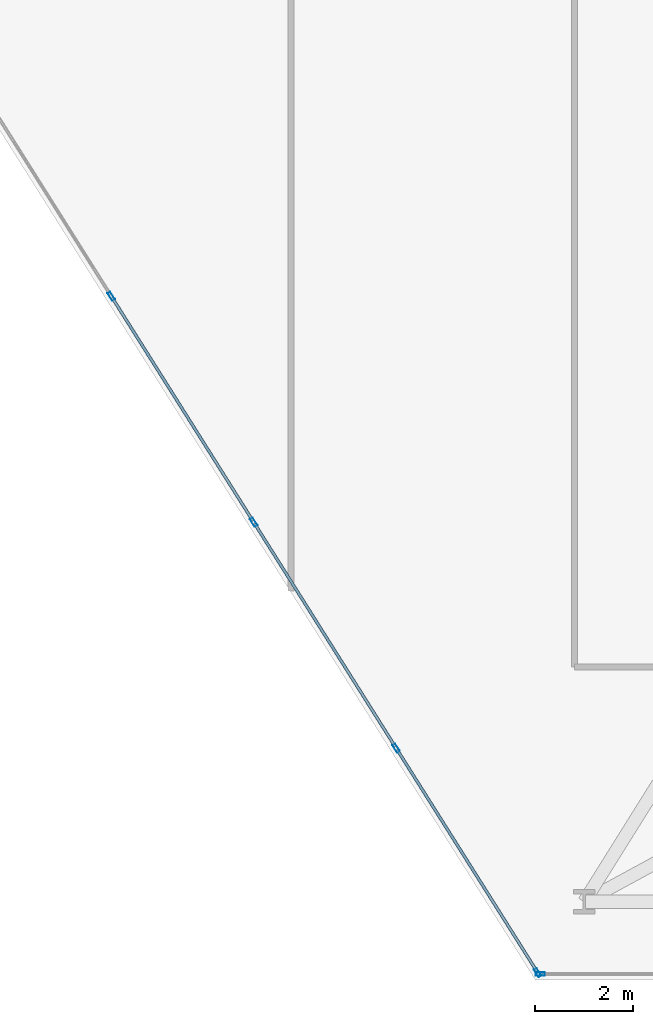
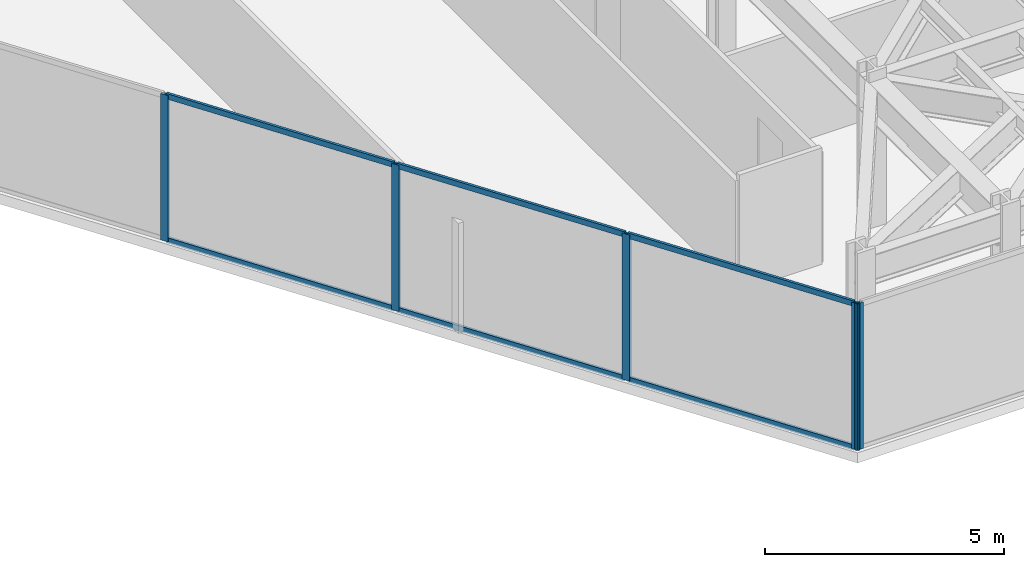
# One storey, part 12 of 24: 11 members, 2 elements without a shape of their own.
"""IFC4 building model written with IfcOpenShell, lengths in metres."""

from ifc_helpers import new_model, si_unit, direction, frame, origin, origin_2d, place, context, subcontext, project, spatial, hollow_rectangle, extrude, material, layer, layer_set, material_profile, profile_set, type_object, element, aggregate, save


model = new_model("IFC4")

# Units and contexts
model_context = context("Model", 3, precision=1e-05, world=origin(), true_north=direction((0.0, 1.0)))
body_context = subcontext(model_context, "Body", "Model", "MODEL_VIEW")
ifc_project = project(units=[si_unit("LENGTHUNIT", "METRE"), si_unit("AREAUNIT", "SQUARE_METRE"), si_unit("VOLUMEUNIT", "CUBIC_METRE"), si_unit("PLANEANGLEUNIT", "RADIAN"), si_unit("MASSUNIT", "GRAM", prefix="KILO")], contexts=[model_context])

# Site, building, storey
site_placement = place(None, origin())
site = spatial("IfcSite", under=ifc_project, at=site_placement, CompositionType="ELEMENT")
building_placement = place(site_placement, origin())
building = spatial("IfcBuilding", under=site, at=building_placement, Name="Kravanh Interchange Tower", CompositionType="ELEMENT")
storey_placement = place(building_placement, frame((0.0, 0.0, 69.5)))
storey = spatial("IfcBuildingStorey", under=building, at=storey_placement, Name="L16", CompositionType="ELEMENT", Elevation=69.5)

# Curtain wall, member
ifc_material_1 = material(Name="Anodised Bronze Aluminium", Category="aluminium")
ifc_layer = layer(ifc_material_1, 0.179931640625)
ifc_layer_set = layer_set([ifc_layer], Name="Unitised Curtain Wall System CW-Z1 Lower Office")
curtain_wall_type = type_object("IfcCurtainWallType", Name="Unitised Curtain Wall System CW-Z1 Lower Office", PredefinedType="NOTDEFINED", material=ifc_layer_set)
curtain_wall_1_placement = place(storey_placement, origin())
curtain_wall_1 = element("IfcCurtainWall", 1, at=curtain_wall_1_placement, inside=storey, type_object=curtain_wall_type, Name="L16 Unitised Curtain Wall CW-L16-03", PredefinedType="NOTDEFINED")
ifc_material_2 = material(Name="Anodised Bronze Aluminium", Category="aluminium")
ifc_material_profile_1 = material_profile(ifc_material_2, hollow_rectangle(XDim=0.070068359375, YDim=0.179931640625, WallThickness=0.00390625, at=origin_2d()), Name="ALU70X180X4")
ifc_profile_set_1 = profile_set([ifc_material_profile_1], Name="Anodised Bronze Aluminium")
member_type_1 = type_object("IfcMemberType", Name="Curtain Wall Mullion ALU70X180X4 Bronze", PredefinedType="MULLION", material=ifc_profile_set_1)
member_1_placement = place(storey_placement, frame((51.601318359375, 1.1201171875, 0.0), z_axis=(0.0, 0.0, 1.0), x_axis=(0.0, -1.0, 0.0)))
member_1 = element("IfcMember", 2, at=member_1_placement, type_object=member_type_1, Name="CW-Z1 mullion 3", PredefinedType="MULLION", context=body_context, shape_type="SweptSolid", body=[
    extrude(hollow_rectangle(XDim=0.070068359375, YDim=0.179931640625, WallThickness=0.00390625, at=origin_2d()), origin(), (0.0, 0.0, 1.0), 3.739990234375),
])
aggregate(curtain_wall_1, [member_1])

# Curtain wall, members
curtain_wall_2_placement = place(storey_placement, origin())
curtain_wall_2 = element("IfcCurtainWall", 3, at=curtain_wall_2_placement, inside=storey, type_object=curtain_wall_type, Name="L16 Unitised Curtain Wall CW-L16-04", PredefinedType="NOTDEFINED")
member_2_placement = place(storey_placement, frame((51.547607421875, 1.149658203125, 0.0), z_axis=(0.0, 0.0, 1.0), x_axis=(-0.845925530786, -0.53330103728, 0.0)))
member_2 = element("IfcMember", 4, at=member_2_placement, type_object=member_type_1, Name="CW-Z1 mullion 1", PredefinedType="MULLION", context=body_context, shape_type="SweptSolid", body=[
    extrude(hollow_rectangle(XDim=0.070068359375, YDim=0.179931640625, WallThickness=0.00390625, at=origin_2d()), origin(), (0.0, 0.0, 1.0), 3.739990234375),
])
member_3_placement = place(storey_placement, frame((48.653076171875, 5.740966796875, 0.0), z_axis=(0.0, 0.0, 1.0), x_axis=(-0.845925530786, -0.53330103728, 0.0)))
member_3 = element("IfcMember", 5, at=member_3_placement, type_object=member_type_1, Name="CW-Z1 mullion 2", PredefinedType="MULLION", context=body_context, shape_type="SweptSolid", body=[
    extrude(hollow_rectangle(XDim=0.070068359375, YDim=0.179931640625, WallThickness=0.00390625, at=origin_2d()), origin(), (0.0, 0.0, 1.0), 3.739990234375),
])
member_4_placement = place(storey_placement, frame((45.73974609375, 10.362060546875, 0.0), z_axis=(0.0, 0.0, 1.0), x_axis=(-0.845925530786, -0.53330103728, 0.0)))
member_4 = element("IfcMember", 6, at=member_4_placement, type_object=member_type_1, Name="CW-Z1 mullion 3", PredefinedType="MULLION", context=body_context, shape_type="SweptSolid", body=[
    extrude(hollow_rectangle(XDim=0.070068359375, YDim=0.179931640625, WallThickness=0.00390625, at=origin_2d()), origin(), (0.0, 0.0, 1.0), 3.739990234375),
])
member_5_placement = place(storey_placement, frame((42.826416015625, 14.98291015625, 0.0), z_axis=(0.0, 0.0, 1.0), x_axis=(-0.845925530786, -0.53330103728, 0.0)))
member_5 = element("IfcMember", 7, at=member_5_placement, type_object=member_type_1, Name="CW-Z1 mullion 4", PredefinedType="MULLION", context=body_context, shape_type="SweptSolid", body=[
    extrude(hollow_rectangle(XDim=0.070068359375, YDim=0.179931640625, WallThickness=0.00390625, at=origin_2d()), origin(), (0.0, 0.0, 1.0), 3.739990234375),
])
ifc_material_3 = material(Name="Anodised Bronze Aluminium", Category="aluminium")
ifc_material_profile_2 = material_profile(ifc_material_3, hollow_rectangle(XDim=0.06005859375, YDim=0.139892578125, WallThickness=0.00390625, at=origin_2d()), Name="ALU60X140X4")
ifc_profile_set_2 = profile_set([ifc_material_profile_2], Name="Anodised Bronze Aluminium")
member_type_2 = type_object("IfcMemberType", Name="Curtain Wall Transom ALU60X140X4 Bronze", PredefinedType="USERDEFINED", material=ifc_profile_set_2)
member_6_placement = place(storey_placement, frame((51.52880859375, 1.17919921875, 0.030029296875), z_axis=(-0.533288163518, 0.845933646719, 0.0), x_axis=(-0.845933646719, -0.533288163518, 0.0)))
member_6 = element("IfcMember", 8, at=member_6_placement, type_object=member_type_2, Name="CW-Z1 transom 1.1", ObjectType="TRANSOM", PredefinedType="USERDEFINED", context=body_context, shape_type="SweptSolid", body=[
    extrude(hollow_rectangle(XDim=0.06005859375, YDim=0.139892578125, WallThickness=0.00390625, at=origin_2d()), origin(), (0.0, 0.0, 1.0), 5.357666015625),
])
member_7_placement = place(storey_placement, frame((51.52880859375, 1.17919921875, 3.7099609375), z_axis=(-0.533288163518, 0.845933646719, 0.0), x_axis=(-0.845933646719, -0.533288163518, 0.0)))
member_7 = element("IfcMember", 9, at=member_7_placement, type_object=member_type_2, Name="CW-Z1 transom 1.2", ObjectType="TRANSOM", PredefinedType="USERDEFINED", context=body_context, shape_type="SweptSolid", body=[
    extrude(hollow_rectangle(XDim=0.06005859375, YDim=0.139892578125, WallThickness=0.00390625, at=origin_2d()), origin(), (0.0, 0.0, 1.0), 5.357666015625),
])
member_8_placement = place(storey_placement, frame((48.63427734375, 5.7705078125, 0.030029296875), z_axis=(-0.533311487456, 0.84591894254, 0.0), x_axis=(-0.84591894254, -0.533311487456, 0.0)))
member_8 = element("IfcMember", 10, at=member_8_placement, type_object=member_type_2, Name="CW-Z1 transom 2.1", ObjectType="TRANSOM", PredefinedType="USERDEFINED", context=body_context, shape_type="SweptSolid", body=[
    extrude(hollow_rectangle(XDim=0.06005859375, YDim=0.139892578125, WallThickness=0.00390625, at=origin_2d()), origin(), (0.0, 0.0, 1.0), 5.392578125),
])
member_9_placement = place(storey_placement, frame((48.63427734375, 5.7705078125, 3.7099609375), z_axis=(-0.533311487456, 0.84591894254, 0.0), x_axis=(-0.84591894254, -0.533311487456, 0.0)))
member_9 = element("IfcMember", 11, at=member_9_placement, type_object=member_type_2, Name="CW-Z1 transom 2.2", ObjectType="TRANSOM", PredefinedType="USERDEFINED", context=body_context, shape_type="SweptSolid", body=[
    extrude(hollow_rectangle(XDim=0.06005859375, YDim=0.139892578125, WallThickness=0.00390625, at=origin_2d()), origin(), (0.0, 0.0, 1.0), 5.392578125),
])
member_10_placement = place(storey_placement, frame((45.720947265625, 10.3916015625, 0.030029296875), z_axis=(-0.533279090152, 0.845939366626, 0.0), x_axis=(-0.845939366626, -0.533279090152, 0.0)))
member_10 = element("IfcMember", 12, at=member_10_placement, type_object=member_type_2, Name="CW-Z1 transom 3.1", ObjectType="TRANSOM", PredefinedType="USERDEFINED", context=body_context, shape_type="SweptSolid", body=[
    extrude(hollow_rectangle(XDim=0.06005859375, YDim=0.139892578125, WallThickness=0.00390625, at=origin_2d()), origin(), (0.0, 0.0, 1.0), 5.392578125),
])
member_11_placement = place(storey_placement, frame((45.720947265625, 10.3916015625, 3.7099609375), z_axis=(-0.533279090152, 0.845939366626, 0.0), x_axis=(-0.845939366626, -0.533279090152, 0.0)))
member_11 = element("IfcMember", 13, at=member_11_placement, type_object=member_type_2, Name="CW-Z1 transom 3.2", ObjectType="TRANSOM", PredefinedType="USERDEFINED", context=body_context, shape_type="SweptSolid", body=[
    extrude(hollow_rectangle(XDim=0.06005859375, YDim=0.139892578125, WallThickness=0.00390625, at=origin_2d()), origin(), (0.0, 0.0, 1.0), 5.392578125),
])
aggregate(curtain_wall_2, [member_2, member_3, member_4, member_5, member_6, member_7, member_8, member_9, member_10, member_11])

save(model, "model.ifc")
